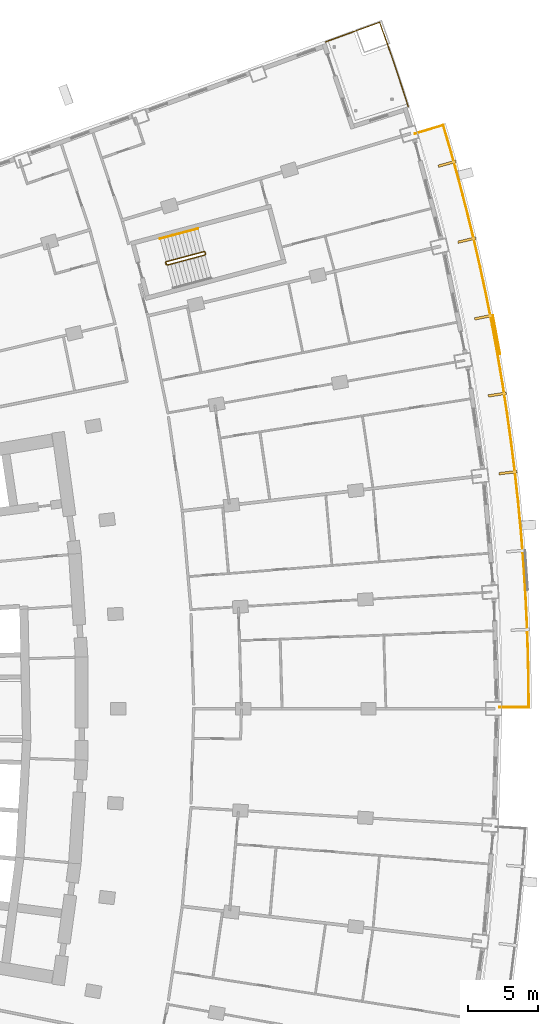
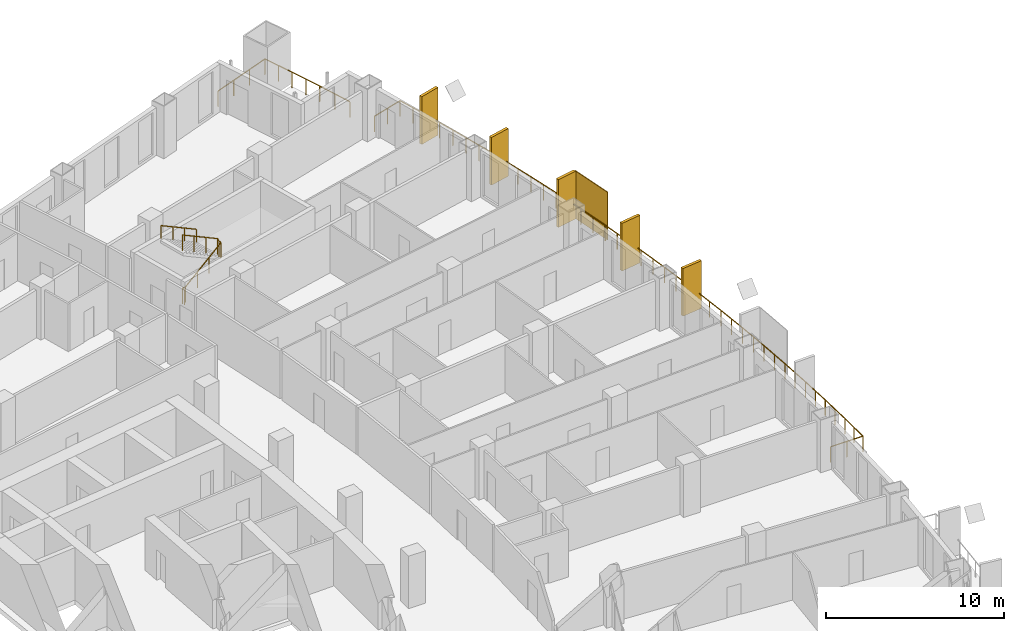
# One storey, part 25 of 25: 6 shading devices, 4 railings.
"""IFC4 building model written with IfcOpenShell, lengths in metres."""

import ifcopenshell
import ifcopenshell.guid

model = None  # the IFC model being written
_history = None  # IfcOwnerHistory: only IFC2X3 demands one
_inside = {}  # id of a spatial element -> (the spatial element, [elements in it])
_under = {}  # id of a project, library or spatial element -> (it, [spatial elements below it])
_declared = {}  # id of a project -> (the project, [libraries it declares])
_typed = {}  # id of a type object -> (the type object, [elements of that type])
_made_of = {}  # id of a material, layer set ... -> (it, [elements and type objects made of it])


def new_model(schema):
    """Start an empty IFC model of exactly this schema.

    Asked for "IFC4X3", IfcOpenShell would pick the latest addendum, in which some entities
    have other attributes; the version numbers below select the first issue.
    IFC2X3 requires an IfcOwnerHistory on every rooted entity: one is made here for all.
    """
    global model, _history
    if schema == "IFC4X3":
        model = ifcopenshell.file(schema_version=(4, 3, 0, 0))
    else:
        model = ifcopenshell.file(schema=schema)
    _inside.clear()
    _under.clear()
    _declared.clear()
    _typed.clear()
    _made_of.clear()
    _history = None
    if model.schema == "IFC2X3":
        org = make("IfcOrganization", Name="unknown")
        user = make(
            "IfcPersonAndOrganization",
            ThePerson=make("IfcPerson", FamilyName="unknown"),
            TheOrganization=org,
        )
        app = make(
            "IfcApplication",
            ApplicationDeveloper=org,
            Version="unknown",
            ApplicationFullName="unknown",
            ApplicationIdentifier="unknown",
        )
        _history = make(
            "IfcOwnerHistory",
            OwningUser=user,
            OwningApplication=app,
            ChangeAction="ADDED",
            CreationDate=0,
        )
    return model


def make(cls, **values):
    """One entity of the class cls with the attributes given. An attribute that is None is left unset."""
    return model.create_entity(
        cls, **{name: value for name, value in values.items() if value is not None}
    )


def rooted(cls, **values):
    """An entity with a GlobalId (a new one), such as an element, a storey or a relation."""
    return make(cls, GlobalId=ifcopenshell.guid.new(), OwnerHistory=_history, **values)


def si_unit(unit_type, name, prefix=None):
    """IfcSIUnit, for example si_unit("LENGTHUNIT", "METRE", prefix="MILLI")."""
    return make("IfcSIUnit", UnitType=unit_type, Prefix=prefix, Name=name)


def assignment(units):
    """IfcUnitAssignment: the units of a project."""
    return None if units is None else make("IfcUnitAssignment", Units=units)


def point(xyz):
    """IfcCartesianPoint."""
    return None if xyz is None else make("IfcCartesianPoint", Coordinates=xyz)


def direction(xyz):
    """IfcDirection."""
    return None if xyz is None else make("IfcDirection", DirectionRatios=xyz)


def frame(location, z_axis=None, x_axis=None):
    """IfcAxis2Placement3D, a coordinate frame: its origin and axes. An axis left out is left unset."""
    return make(
        "IfcAxis2Placement3D",
        Location=point(location),
        Axis=direction(z_axis),
        RefDirection=direction(x_axis),
    )


def frame_2d(location, x_axis=None):
    """IfcAxis2Placement2D, a coordinate frame in the plane: its origin and x axis."""
    return make(
        "IfcAxis2Placement2D", Location=point(location), RefDirection=direction(x_axis)
    )


def origin():
    """The frame at (0, 0, 0) with its axes left unset."""
    return frame((0.0, 0.0, 0.0))


def origin_2d():
    """The frame at (0, 0) in the plane with its x axis left unset."""
    return frame_2d((0.0, 0.0))


def place(relative_to, where):
    """IfcLocalPlacement: puts the frame where relative to a parent placement (None: the world)."""
    return make(
        "IfcLocalPlacement", PlacementRelTo=relative_to, RelativePlacement=where
    )


def context(
    kind, dimensions, precision=None, world=None, true_north=None, identifier=None
):
    """IfcGeometricRepresentationContext, for example the 3D "Model" context."""
    return make(
        "IfcGeometricRepresentationContext",
        ContextIdentifier=identifier,
        ContextType=kind,
        CoordinateSpaceDimension=dimensions,
        Precision=precision,
        WorldCoordinateSystem=world,
        TrueNorth=true_north,
    )


def subcontext(parent, identifier, kind, view, scale=None):
    """IfcGeometricRepresentationSubContext, for example "Body" below "Model"."""
    return make(
        "IfcGeometricRepresentationSubContext",
        ContextIdentifier=identifier,
        ContextType=kind,
        ParentContext=parent,
        TargetScale=scale,
        TargetView=view,
    )


def project(units=None, contexts=None):
    """IfcProject with its units and contexts."""
    return rooted(
        "IfcProject",
        Name="project",
        RepresentationContexts=contexts,
        UnitsInContext=assignment(units),
    )


def spatial(cls, under=None, at=None, **own):
    """A site, building, storey or space (cls), placed at a placement, below another one or the project."""
    s = rooted(cls, ObjectPlacement=at, **own)
    if under is not None:
        _under.setdefault(under.id(), (under, []))[1].append(s)
    return s


def profile(cls, at=None, kind="AREA", **sizes):
    """A parametric profile (cls). Its sizes go by their IFC names, for example OverallWidth=200.0."""
    return make(cls, ProfileType=kind, Position=at, **sizes)


def rectangle(**sizes):
    """IfcRectangleProfileDef."""
    return profile("IfcRectangleProfileDef", **sizes)


def extrude(swept, where, along, depth):
    """IfcExtrudedAreaSolid: the profile swept, set in the frame where, extruded along a direction by depth."""
    return make(
        "IfcExtrudedAreaSolid",
        SweptArea=swept,
        Position=where,
        ExtrudedDirection=direction(along),
        Depth=depth,
    )


def shape(context_of_items, identifier, shape_type, items):
    """IfcShapeRepresentation: the items that make up one representation, for example the "Body"."""
    return make(
        "IfcShapeRepresentation",
        ContextOfItems=context_of_items,
        RepresentationIdentifier=identifier,
        RepresentationType=shape_type,
        Items=items,
    )


def material(Name=None, Category=None):
    """IfcMaterial."""
    return make("IfcMaterial", Name=Name, Category=Category)


def layer(
    of_material, thickness, ventilated=None, Name=None, Category=None, Priority=None
):
    """IfcMaterialLayer: one layer of a wall or slab, of a material (None: an air gap)."""
    return make(
        "IfcMaterialLayer",
        Material=of_material,
        LayerThickness=thickness,
        IsVentilated=ventilated,
        Name=Name,
        Category=Category,
        Priority=Priority,
    )


def layer_set(layers, Name=None):
    """IfcMaterialLayerSet."""
    return make("IfcMaterialLayerSet", MaterialLayers=layers, LayerSetName=Name)


def made_of(thing, what):
    """Note that an element or type object is made of a material, layer set ...; save() writes the relation."""
    if what is not None:
        _made_of.setdefault(what.id(), (what, []))[1].append(thing)
    return thing


def type_object(cls, material=None, **own):
    """A type object (cls), such as IfcWallType, which elements share."""
    return made_of(rooted(cls, **own), material)


def element(
    cls,
    number,
    at=None,
    inside=None,
    cuts=None,
    type_object=None,
    material=None,
    context=None,
    identifier="Body",
    shape_type=None,
    held_by="IfcProductDefinitionShape",
    body=None,
    shapes=None,
    **own,
):
    """One element of the class cls, such as IfcWall. Its Tag is "e" and its number.

    at: its placement. inside: the storey or other place that contains it. cuts: it is an
    opening in that element (IfcRelVoidsElement). A single representation is given by context,
    identifier, shape_type and body (its items); several are given by shapes. held_by: the class
    of the entity that holds the representations. save() writes the other relations.
    """
    e = rooted(cls, Tag="e%d" % number, ObjectPlacement=at, **own)
    if body is not None:
        shapes = [shape(context, identifier, shape_type, body)]
    if shapes is not None:
        e.Representation = make(held_by, Representations=shapes)
    if inside is not None:
        _inside.setdefault(inside.id(), (inside, []))[1].append(e)
    if cuts is not None:
        rooted(
            "IfcRelVoidsElement", RelatingBuildingElement=cuts, RelatedOpeningElement=e
        )
    if type_object is not None:
        _typed.setdefault(type_object.id(), (type_object, []))[1].append(e)
    return made_of(e, material)


def aggregate(whole, parts):
    """IfcRelAggregates: a whole, such as a stair, and the parts it consists of."""
    return rooted("IfcRelAggregates", RelatingObject=whole, RelatedObjects=parts)


def save(model, path):
    """Write the relations noted so far, then the file.

    IfcRelAggregates (storeys below a building ...), IfcRelContainedInSpatialStructure (elements
    in a storey), IfcRelDefinesByType, IfcRelAssociatesMaterial and IfcRelDeclares: one each for
    every whole, place, type object, material and project.
    """
    for whole, parts in _under.values():
        aggregate(whole, parts)
    for where, things in _inside.values():
        rooted(
            "IfcRelContainedInSpatialStructure",
            RelatedElements=things,
            RelatingStructure=where,
        )
    for kind, things in _typed.values():
        rooted("IfcRelDefinesByType", RelatedObjects=things, RelatingType=kind)
    for what, things in _made_of.values():
        rooted("IfcRelAssociatesMaterial", RelatedObjects=things, RelatingMaterial=what)
    for by, libraries in _declared.values():
        rooted("IfcRelDeclares", RelatingContext=by, RelatedDefinitions=libraries)
    model.write(path)


model = new_model("IFC4")

# Units and contexts
model_context = context("Model", 3, precision=1e-05, world=origin(), true_north=direction((0.0, 1.0)))
body_context = subcontext(model_context, "Body", "Model", "MODEL_VIEW")
ifc_project = project(units=[si_unit("LENGTHUNIT", "METRE"), si_unit("AREAUNIT", "SQUARE_METRE"), si_unit("VOLUMEUNIT", "CUBIC_METRE"), si_unit("PLANEANGLEUNIT", "RADIAN"), si_unit("MASSUNIT", "GRAM", prefix="KILO")], contexts=[model_context])

# Site, building, storey
site_placement = place(None, origin())
site = spatial("IfcSite", under=ifc_project, at=site_placement, CompositionType="ELEMENT")
building_placement = place(site_placement, origin())
building = spatial("IfcBuilding", under=site, at=building_placement, Name="Alderwake Tower", CompositionType="ELEMENT")
storey_placement = place(building_placement, frame((0.0, 0.0, 60.800048828125)))
storey = spatial("IfcBuildingStorey", under=building, at=storey_placement, Name="L14", CompositionType="ELEMENT", Elevation=60.800048828125)

# Railings
ifc_material_1 = material(Name="Stainless steel 316 rail and posts", Category="steel")
railing_type_1 = type_object("IfcRailingType", Name="Balcony guard 1100", PredefinedType="GUARDRAIL", material=ifc_material_1)
railing_1_placement = place(storey_placement, frame((63.0, 61.0986328125, 0.0)))
element("IfcRailing", 1, at=railing_1_placement, inside=storey, type_object=railing_type_1, Name="Guard BF07", PredefinedType="GUARDRAIL", context=body_context, shape_type="SweptSolid", body=[
    extrude(rectangle(XDim=0.048095703125, YDim=0.048095703125, at=origin_2d()), frame((0.0, 0.0, 1.076171875), z_axis=(0.999999756738, 0.000697512037, 0.0), x_axis=(-0.000697512037, 0.999999756738, 0.0)), (0.0, 0.0, 1.0), 2.10009765625),
    extrude(rectangle(XDim=0.048095703125, YDim=0.048095703125, at=origin_2d()), frame((2.10009765625, 0.00146484375, 1.076171875), z_axis=(-0.007629667712, 0.999970893662, 0.0), x_axis=(-0.999970893662, -0.007629667712, 0.0)), (0.0, 0.0, 1.0), 2.015869140625),
    extrude(rectangle(XDim=0.048095703125, YDim=0.048095703125, at=origin_2d()), frame((2.084716796875, 2.017333984375, 1.076171875), z_axis=(-0.021922024221, 0.999759683551, 0.0), x_axis=(-0.999759683551, -0.021922024221, 0.0)), (0.0, 0.0, 1.0), 2.115966796875),
    extrude(rectangle(XDim=0.048095703125, YDim=0.048095703125, at=origin_2d()), frame((2.038330078125, 4.1328125, 1.076171875), z_axis=(-0.036456930403, 0.99933522515, 0.0), x_axis=(-0.99933522515, -0.036456930403, 0.0)), (0.0, 0.0, 1.0), 2.1162109375),
    extrude(rectangle(XDim=0.048095703125, YDim=0.048095703125, at=origin_2d()), frame((1.961181640625, 6.24755859375, 1.076171875), z_axis=(-0.050996405484, 0.998698836801, 0.0), x_axis=(-0.998698836801, -0.050996405484, 0.0)), (0.0, 0.0, 1.0), 2.115966796875),
    extrude(rectangle(XDim=0.048095703125, YDim=0.048095703125, at=origin_2d()), frame((1.853271484375, 8.36083984375, 1.076171875), z_axis=(-0.065653604081, 0.997842474678, 0.0), x_axis=(-0.997842474678, -0.065653604081, 0.0)), (0.0, 0.0, 1.0), 2.115966796875),
    extrude(rectangle(XDim=0.048095703125, YDim=0.048095703125, at=origin_2d()), frame((1.71435546875, 10.47216796875, 1.076171875), z_axis=(-0.080066197531, 0.996789548507, 0.0), x_axis=(-0.996789548507, -0.080066197531, 0.0)), (0.0, 0.0, 1.0), 2.1162109375),
    extrude(rectangle(XDim=0.048095703125, YDim=0.048095703125, at=origin_2d()), frame((1.544921875, 12.58154296875, 1.076171875), z_axis=(-0.094727418448, 0.995503247707, 0.0), x_axis=(-0.995503247707, -0.094727418448, 0.0)), (0.0, 0.0, 1.0), 2.115966796875),
    extrude(rectangle(XDim=0.048095703125, YDim=0.048095703125, at=origin_2d()), frame((1.344482421875, 14.68798828125, 1.076171875), z_axis=(-0.109152371234, 0.994025029792, 0.0), x_axis=(-0.994025029792, -0.109152371234, 0.0)), (0.0, 0.0, 1.0), 2.115966796875),
    extrude(rectangle(XDim=0.048095703125, YDim=0.048095703125, at=origin_2d()), frame((1.113525390625, 16.791259765625, 1.076171875), z_axis=(-0.123566122663, 0.992336340829, 0.0), x_axis=(-0.992336340829, -0.123566122663, 0.0)), (0.0, 0.0, 1.0), 2.115966796875),
    extrude(rectangle(XDim=0.048095703125, YDim=0.048095703125, at=origin_2d()), frame((0.85205078125, 18.89111328125, 1.076171875), z_axis=(-0.13810917546, 0.990417010988, 0.0), x_axis=(-0.990417010988, -0.13810917546, 0.0)), (0.0, 0.0, 1.0), 2.115966796875),
    extrude(rectangle(XDim=0.048095703125, YDim=0.048095703125, at=origin_2d()), frame((0.559814453125, 20.98681640625, 1.076171875), z_axis=(-0.152525334997, 0.988299560955, 0.0), x_axis=(-0.988299560955, -0.152525334997, 0.0)), (0.0, 0.0, 1.0), 2.115966796875),
    extrude(rectangle(XDim=0.048095703125, YDim=0.048095703125, at=origin_2d()), frame((0.237060546875, 23.078125, 1.076171875), z_axis=(-0.166942854132, 0.985966573193, 0.0), x_axis=(-0.985966573193, -0.166942854132, 0.0)), (0.0, 0.0, 1.0), 2.1162109375),
    extrude(rectangle(XDim=0.048095703125, YDim=0.048095703125, at=origin_2d()), frame((-0.1162109375, 25.16455078125, 1.076171875), z_axis=(-0.181271090416, 0.983433165893, 0.0), x_axis=(-0.983433165893, -0.181271090416, 0.0)), (0.0, 0.0, 1.0), 2.115966796875),
    extrude(rectangle(XDim=0.048095703125, YDim=0.048095703125, at=origin_2d()), frame((-0.499755859375, 27.245361328125, 1.076171875), z_axis=(-0.195672373282, 0.980669323643, 0.0), x_axis=(-0.980669323643, -0.195672373282, 0.0)), (0.0, 0.0, 1.0), 2.1162109375),
    extrude(rectangle(XDim=0.048095703125, YDim=0.048095703125, at=origin_2d()), frame((-0.913818359375, 29.320556640625, 1.076171875), z_axis=(-0.209875777658, 0.977728059305, 0.0), x_axis=(-0.977728059305, -0.209875777658, 0.0)), (0.0, 0.0, 1.0), 2.115966796875),
    extrude(rectangle(XDim=0.048095703125, YDim=0.048095703125, at=origin_2d()), frame((-1.35791015625, 31.389404296875, 1.076171875), z_axis=(-0.224058933292, 0.974575597074, 0.0), x_axis=(-0.974575597074, -0.224058933292, 0.0)), (0.0, 0.0, 1.0), 2.115966796875),
    extrude(rectangle(XDim=0.048095703125, YDim=0.048095703125, at=origin_2d()), frame((-1.83203125, 33.45166015625, 1.076171875), z_axis=(-0.238270812315, 0.971198754117, 0.0), x_axis=(-0.971198754117, -0.238270812315, 0.0)), (0.0, 0.0, 1.0), 2.115966796875),
    extrude(rectangle(XDim=0.048095703125, YDim=0.048095703125, at=origin_2d()), frame((-2.336181640625, 35.506591796875, 1.076171875), z_axis=(-0.25253930462, 0.967586636752, 0.0), x_axis=(-0.967586636752, -0.25253930462, 0.0)), (0.0, 0.0, 1.0), 2.1162109375),
    extrude(rectangle(XDim=0.048095703125, YDim=0.048095703125, at=origin_2d()), frame((-2.87060546875, 37.55419921875, 1.076171875), z_axis=(-0.266513084078, 0.9638313006, 0.0), x_axis=(-0.9638313006, -0.266513084078, 0.0)), (0.0, 0.0, 1.0), 2.115966796875),
    extrude(rectangle(XDim=0.048095703125, YDim=0.048095703125, at=origin_2d()), frame((-3.4345703125, 39.59375, 1.076171875), z_axis=(-0.28021854868, 0.95993622964, 0.0), x_axis=(-0.95993622964, -0.28021854868, 0.0)), (0.0, 0.0, 1.0), 2.01611328125),
    extrude(rectangle(XDim=0.048095703125, YDim=0.048095703125, at=origin_2d()), frame((-3.99951171875, 41.529052734375, 1.076171875), z_axis=(-0.957954179098, -0.286921227429, 0.0), x_axis=(0.286921227429, -0.957954179098, 0.0)), (0.0, 0.0, 1.0), 2.10009765625),
    extrude(rectangle(XDim=0.0419921875, YDim=0.0419921875, at=origin_2d()), frame((0.0, 0.0, 0.0), z_axis=(0.0, 0.0, 1.0), x_axis=(0.999999756738, 0.000697512037, 0.0)), (0.0, 0.0, 1.0), 1.052001953125),
    extrude(rectangle(XDim=0.0419921875, YDim=0.0419921875, at=origin_2d()), frame((1.050048828125, 0.000732421875, 0.0), z_axis=(0.0, 0.0, 1.0), x_axis=(0.999999756738, 0.000697512037, 0.0)), (0.0, 0.0, 1.0), 1.052001953125),
    extrude(rectangle(XDim=0.0419921875, YDim=0.0419921875, at=origin_2d()), frame((2.10009765625, 0.00146484375, 0.0), z_axis=(0.0, 0.0, 1.0), x_axis=(-0.007629667712, 0.999970893662, 0.0)), (0.0, 0.0, 1.0), 1.052001953125),
    extrude(rectangle(XDim=0.0419921875, YDim=0.0419921875, at=origin_2d()), frame((2.09228515625, 1.00927734375, 0.0), z_axis=(0.0, 0.0, 1.0), x_axis=(-0.007629667712, 0.999970893662, 0.0)), (0.0, 0.0, 1.0), 1.052001953125),
    extrude(rectangle(XDim=0.0419921875, YDim=0.0419921875, at=origin_2d()), frame((2.084716796875, 2.017333984375, 0.0), z_axis=(0.0, 0.0, 1.0), x_axis=(-0.021922024221, 0.999759683551, 0.0)), (0.0, 0.0, 1.0), 1.052001953125),
    extrude(rectangle(XDim=0.0419921875, YDim=0.0419921875, at=origin_2d()), frame((2.0615234375, 3.0751953125, 0.0), z_axis=(0.0, 0.0, 1.0), x_axis=(-0.021922024221, 0.999759683551, 0.0)), (0.0, 0.0, 1.0), 1.052001953125),
    extrude(rectangle(XDim=0.0419921875, YDim=0.0419921875, at=origin_2d()), frame((2.038330078125, 4.1328125, 0.0), z_axis=(0.0, 0.0, 1.0), x_axis=(-0.036456930403, 0.99933522515, 0.0)), (0.0, 0.0, 1.0), 1.052001953125),
    extrude(rectangle(XDim=0.0419921875, YDim=0.0419921875, at=origin_2d()), frame((1.999755859375, 5.190185546875, 0.0), z_axis=(0.0, 0.0, 1.0), x_axis=(-0.036456930403, 0.99933522515, 0.0)), (0.0, 0.0, 1.0), 1.052001953125),
    extrude(rectangle(XDim=0.0419921875, YDim=0.0419921875, at=origin_2d()), frame((1.961181640625, 6.24755859375, 0.0), z_axis=(0.0, 0.0, 1.0), x_axis=(-0.050996405484, 0.998698836801, 0.0)), (0.0, 0.0, 1.0), 1.052001953125),
    extrude(rectangle(XDim=0.0419921875, YDim=0.0419921875, at=origin_2d()), frame((1.9072265625, 7.30419921875, 0.0), z_axis=(0.0, 0.0, 1.0), x_axis=(-0.050996405484, 0.998698836801, 0.0)), (0.0, 0.0, 1.0), 1.052001953125),
    extrude(rectangle(XDim=0.0419921875, YDim=0.0419921875, at=origin_2d()), frame((1.853271484375, 8.36083984375, 0.0), z_axis=(0.0, 0.0, 1.0), x_axis=(-0.065653604081, 0.997842474678, 0.0)), (0.0, 0.0, 1.0), 1.052001953125),
    extrude(rectangle(XDim=0.0419921875, YDim=0.0419921875, at=origin_2d()), frame((1.78369140625, 9.41650390625, 0.0), z_axis=(0.0, 0.0, 1.0), x_axis=(-0.065653604081, 0.997842474678, 0.0)), (0.0, 0.0, 1.0), 1.052001953125),
    extrude(rectangle(XDim=0.0419921875, YDim=0.0419921875, at=origin_2d()), frame((1.71435546875, 10.47216796875, 0.0), z_axis=(0.0, 0.0, 1.0), x_axis=(-0.080066197531, 0.996789548507, 0.0)), (0.0, 0.0, 1.0), 1.052001953125),
    extrude(rectangle(XDim=0.0419921875, YDim=0.0419921875, at=origin_2d()), frame((1.629638671875, 11.52685546875, 0.0), z_axis=(0.0, 0.0, 1.0), x_axis=(-0.080066197531, 0.996789548507, 0.0)), (0.0, 0.0, 1.0), 1.052001953125),
    extrude(rectangle(XDim=0.0419921875, YDim=0.0419921875, at=origin_2d()), frame((1.544921875, 12.58154296875, 0.0), z_axis=(0.0, 0.0, 1.0), x_axis=(-0.094727418448, 0.995503247707, 0.0)), (0.0, 0.0, 1.0), 1.052001953125),
    extrude(rectangle(XDim=0.0419921875, YDim=0.0419921875, at=origin_2d()), frame((1.44482421875, 13.634765625, 0.0), z_axis=(0.0, 0.0, 1.0), x_axis=(-0.094727418448, 0.995503247707, 0.0)), (0.0, 0.0, 1.0), 1.052001953125),
    extrude(rectangle(XDim=0.0419921875, YDim=0.0419921875, at=origin_2d()), frame((1.344482421875, 14.68798828125, 0.0), z_axis=(0.0, 0.0, 1.0), x_axis=(-0.109152371234, 0.994025029792, 0.0)), (0.0, 0.0, 1.0), 1.052001953125),
    extrude(rectangle(XDim=0.0419921875, YDim=0.0419921875, at=origin_2d()), frame((1.22900390625, 15.73974609375, 0.0), z_axis=(0.0, 0.0, 1.0), x_axis=(-0.109152371234, 0.994025029792, 0.0)), (0.0, 0.0, 1.0), 1.052001953125),
    extrude(rectangle(XDim=0.0419921875, YDim=0.0419921875, at=origin_2d()), frame((1.113525390625, 16.791259765625, 0.0), z_axis=(0.0, 0.0, 1.0), x_axis=(-0.123566122663, 0.992336340829, 0.0)), (0.0, 0.0, 1.0), 1.052001953125),
    extrude(rectangle(XDim=0.0419921875, YDim=0.0419921875, at=origin_2d()), frame((0.98291015625, 17.84130859375, 0.0), z_axis=(0.0, 0.0, 1.0), x_axis=(-0.123566122663, 0.992336340829, 0.0)), (0.0, 0.0, 1.0), 1.052001953125),
    extrude(rectangle(XDim=0.0419921875, YDim=0.0419921875, at=origin_2d()), frame((0.85205078125, 18.89111328125, 0.0), z_axis=(0.0, 0.0, 1.0), x_axis=(-0.13810917546, 0.990417010988, 0.0)), (0.0, 0.0, 1.0), 1.052001953125),
    extrude(rectangle(XDim=0.0419921875, YDim=0.0419921875, at=origin_2d()), frame((0.7060546875, 19.93896484375, 0.0), z_axis=(0.0, 0.0, 1.0), x_axis=(-0.13810917546, 0.990417010988, 0.0)), (0.0, 0.0, 1.0), 1.052001953125),
    extrude(rectangle(XDim=0.0419921875, YDim=0.0419921875, at=origin_2d()), frame((0.559814453125, 20.98681640625, 0.0), z_axis=(0.0, 0.0, 1.0), x_axis=(-0.152525334997, 0.988299560955, 0.0)), (0.0, 0.0, 1.0), 1.052001953125),
    extrude(rectangle(XDim=0.0419921875, YDim=0.0419921875, at=origin_2d()), frame((0.3984375, 22.032470703125, 0.0), z_axis=(0.0, 0.0, 1.0), x_axis=(-0.152525334997, 0.988299560955, 0.0)), (0.0, 0.0, 1.0), 1.052001953125),
    extrude(rectangle(XDim=0.0419921875, YDim=0.0419921875, at=origin_2d()), frame((0.237060546875, 23.078125, 0.0), z_axis=(0.0, 0.0, 1.0), x_axis=(-0.166942854132, 0.985966573193, 0.0)), (0.0, 0.0, 1.0), 1.052001953125),
    extrude(rectangle(XDim=0.0419921875, YDim=0.0419921875, at=origin_2d()), frame((0.060546875, 24.121337890625, 0.0), z_axis=(0.0, 0.0, 1.0), x_axis=(-0.166942854132, 0.985966573193, 0.0)), (0.0, 0.0, 1.0), 1.052001953125),
    extrude(rectangle(XDim=0.0419921875, YDim=0.0419921875, at=origin_2d()), frame((-0.1162109375, 25.16455078125, 0.0), z_axis=(0.0, 0.0, 1.0), x_axis=(-0.181271090416, 0.983433165893, 0.0)), (0.0, 0.0, 1.0), 1.052001953125),
    extrude(rectangle(XDim=0.0419921875, YDim=0.0419921875, at=origin_2d()), frame((-0.30810546875, 26.205078125, 0.0), z_axis=(0.0, 0.0, 1.0), x_axis=(-0.181271090416, 0.983433165893, 0.0)), (0.0, 0.0, 1.0), 1.052001953125),
    extrude(rectangle(XDim=0.0419921875, YDim=0.0419921875, at=origin_2d()), frame((-0.499755859375, 27.245361328125, 0.0), z_axis=(0.0, 0.0, 1.0), x_axis=(-0.195672373282, 0.980669323643, 0.0)), (0.0, 0.0, 1.0), 1.052001953125),
    extrude(rectangle(XDim=0.0419921875, YDim=0.0419921875, at=origin_2d()), frame((-0.706787109375, 28.282958984375, 0.0), z_axis=(0.0, 0.0, 1.0), x_axis=(-0.195672373282, 0.980669323643, 0.0)), (0.0, 0.0, 1.0), 1.052001953125),
    extrude(rectangle(XDim=0.0419921875, YDim=0.0419921875, at=origin_2d()), frame((-0.913818359375, 29.320556640625, 0.0), z_axis=(0.0, 0.0, 1.0), x_axis=(-0.209875777658, 0.977728059305, 0.0)), (0.0, 0.0, 1.0), 1.052001953125),
    extrude(rectangle(XDim=0.0419921875, YDim=0.0419921875, at=origin_2d()), frame((-1.1357421875, 30.35498046875, 0.0), z_axis=(0.0, 0.0, 1.0), x_axis=(-0.209875777658, 0.977728059305, 0.0)), (0.0, 0.0, 1.0), 1.052001953125),
    extrude(rectangle(XDim=0.0419921875, YDim=0.0419921875, at=origin_2d()), frame((-1.35791015625, 31.389404296875, 0.0), z_axis=(0.0, 0.0, 1.0), x_axis=(-0.224058933292, 0.974575597074, 0.0)), (0.0, 0.0, 1.0), 1.052001953125),
    extrude(rectangle(XDim=0.0419921875, YDim=0.0419921875, at=origin_2d()), frame((-1.594970703125, 32.42041015625, 0.0), z_axis=(0.0, 0.0, 1.0), x_axis=(-0.224058933292, 0.974575597074, 0.0)), (0.0, 0.0, 1.0), 1.052001953125),
    extrude(rectangle(XDim=0.0419921875, YDim=0.0419921875, at=origin_2d()), frame((-1.83203125, 33.45166015625, 0.0), z_axis=(0.0, 0.0, 1.0), x_axis=(-0.238270812315, 0.971198754117, 0.0)), (0.0, 0.0, 1.0), 1.052001953125),
    extrude(rectangle(XDim=0.0419921875, YDim=0.0419921875, at=origin_2d()), frame((-2.083984375, 34.47900390625, 0.0), z_axis=(0.0, 0.0, 1.0), x_axis=(-0.238270812315, 0.971198754117, 0.0)), (0.0, 0.0, 1.0), 1.052001953125),
    extrude(rectangle(XDim=0.0419921875, YDim=0.0419921875, at=origin_2d()), frame((-2.336181640625, 35.506591796875, 0.0), z_axis=(0.0, 0.0, 1.0), x_axis=(-0.25253930462, 0.967586636752, 0.0)), (0.0, 0.0, 1.0), 1.052001953125),
    extrude(rectangle(XDim=0.0419921875, YDim=0.0419921875, at=origin_2d()), frame((-2.603515625, 36.5302734375, 0.0), z_axis=(0.0, 0.0, 1.0), x_axis=(-0.25253930462, 0.967586636752, 0.0)), (0.0, 0.0, 1.0), 1.052001953125),
    extrude(rectangle(XDim=0.0419921875, YDim=0.0419921875, at=origin_2d()), frame((-2.87060546875, 37.55419921875, 0.0), z_axis=(0.0, 0.0, 1.0), x_axis=(-0.266513084078, 0.9638313006, 0.0)), (0.0, 0.0, 1.0), 1.052001953125),
    extrude(rectangle(XDim=0.0419921875, YDim=0.0419921875, at=origin_2d()), frame((-3.152587890625, 38.573974609375, 0.0), z_axis=(0.0, 0.0, 1.0), x_axis=(-0.266513084078, 0.9638313006, 0.0)), (0.0, 0.0, 1.0), 1.052001953125),
    extrude(rectangle(XDim=0.0419921875, YDim=0.0419921875, at=origin_2d()), frame((-3.4345703125, 39.59375, 0.0), z_axis=(0.0, 0.0, 1.0), x_axis=(-0.28021854868, 0.95993622964, 0.0)), (0.0, 0.0, 1.0), 1.052001953125),
    extrude(rectangle(XDim=0.0419921875, YDim=0.0419921875, at=origin_2d()), frame((-3.717041015625, 40.5615234375, 0.0), z_axis=(0.0, 0.0, 1.0), x_axis=(-0.28021854868, 0.95993622964, 0.0)), (0.0, 0.0, 1.0), 1.052001953125),
    extrude(rectangle(XDim=0.0419921875, YDim=0.0419921875, at=origin_2d()), frame((-3.99951171875, 41.529052734375, 0.0), z_axis=(0.0, 0.0, 1.0), x_axis=(-0.957954179098, -0.286921227429, 0.0)), (0.0, 0.0, 1.0), 1.052001953125),
    extrude(rectangle(XDim=0.0419921875, YDim=0.0419921875, at=origin_2d()), frame((-5.00537109375, 41.227783203125, 0.0), z_axis=(0.0, 0.0, 1.0), x_axis=(-0.957954179098, -0.286921227429, 0.0)), (0.0, 0.0, 1.0), 1.052001953125),
    extrude(rectangle(XDim=0.0419921875, YDim=0.0419921875, at=origin_2d()), frame((-6.01123046875, 40.926513671875, 0.0), z_axis=(0.0, 0.0, 1.0), x_axis=(-0.957954179098, -0.286921227429, 0.0)), (0.0, 0.0, 1.0), 1.052001953125),
])
railing_2_placement = place(storey_placement, frame((56.501708984375, 103.951904296875, 0.0)))
element("IfcRailing", 2, at=railing_2_placement, inside=storey, type_object=railing_type_1, Name="Guard terrace FN", PredefinedType="GUARDRAIL", context=body_context, shape_type="SweptSolid", body=[
    extrude(rectangle(XDim=0.048095703125, YDim=0.048095703125, at=origin_2d()), frame((0.0, 0.0, 1.076171875), z_axis=(-0.307695208636, 0.95148497549, 0.0), x_axis=(-0.95148497549, -0.307695208636, 0.0)), (0.0, 0.0, 1.0), 2.28662109375),
    extrude(rectangle(XDim=0.048095703125, YDim=0.048095703125, at=origin_2d()), frame((-0.70361328125, 2.17578125, 1.076171875), z_axis=(-0.322292794667, 0.946640034282, 0.0), x_axis=(-0.946640034282, -0.322292794667, 0.0)), (0.0, 0.0, 1.0), 2.0869140625),
    extrude(rectangle(XDim=0.048095703125, YDim=0.048095703125, at=origin_2d()), frame((-1.376220703125, 4.1513671875, 1.076171875), z_axis=(-0.335736890056, 0.941955806105, 0.0), x_axis=(-0.941955806105, -0.335736890056, 0.0)), (0.0, 0.0, 1.0), 1.986572265625),
    extrude(rectangle(XDim=0.048095703125, YDim=0.048095703125, at=origin_2d()), frame((-2.043212890625, 6.022705078125, 1.076171875), z_axis=(-0.939617696184, -0.342225926863, 0.0), x_axis=(0.342225926863, -0.939617696184, 0.0)), (0.0, 0.0, 1.0), 4.099853515625),
    extrude(rectangle(XDim=0.0419921875, YDim=0.0419921875, at=origin_2d()), frame((0.0, 0.0, 0.0), z_axis=(0.0, 0.0, 1.0), x_axis=(-0.307695208636, 0.95148497549, 0.0)), (0.0, 0.0, 1.0), 1.052001953125),
    extrude(rectangle(XDim=0.0419921875, YDim=0.0419921875, at=origin_2d()), frame((-0.351806640625, 1.087890625, 0.0), z_axis=(0.0, 0.0, 1.0), x_axis=(-0.307695208636, 0.95148497549, 0.0)), (0.0, 0.0, 1.0), 1.052001953125),
    extrude(rectangle(XDim=0.0419921875, YDim=0.0419921875, at=origin_2d()), frame((-0.70361328125, 2.17578125, 0.0), z_axis=(0.0, 0.0, 1.0), x_axis=(-0.322292794667, 0.946640034282, 0.0)), (0.0, 0.0, 1.0), 1.052001953125),
    extrude(rectangle(XDim=0.0419921875, YDim=0.0419921875, at=origin_2d()), frame((-1.0400390625, 3.16357421875, 0.0), z_axis=(0.0, 0.0, 1.0), x_axis=(-0.322292794667, 0.946640034282, 0.0)), (0.0, 0.0, 1.0), 1.052001953125),
    extrude(rectangle(XDim=0.0419921875, YDim=0.0419921875, at=origin_2d()), frame((-1.376220703125, 4.1513671875, 0.0), z_axis=(0.0, 0.0, 1.0), x_axis=(-0.335736890056, 0.941955806105, 0.0)), (0.0, 0.0, 1.0), 1.052001953125),
    extrude(rectangle(XDim=0.0419921875, YDim=0.0419921875, at=origin_2d()), frame((-1.709716796875, 5.0869140625, 0.0), z_axis=(0.0, 0.0, 1.0), x_axis=(-0.335736890056, 0.941955806105, 0.0)), (0.0, 0.0, 1.0), 1.052001953125),
    extrude(rectangle(XDim=0.0419921875, YDim=0.0419921875, at=origin_2d()), frame((-2.043212890625, 6.022705078125, 0.0), z_axis=(0.0, 0.0, 1.0), x_axis=(-0.939617696184, -0.342225926863, 0.0)), (0.0, 0.0, 1.0), 1.052001953125),
    extrude(rectangle(XDim=0.0419921875, YDim=0.0419921875, at=origin_2d()), frame((-3.327392578125, 5.554931640625, 0.0), z_axis=(0.0, 0.0, 1.0), x_axis=(-0.939617696184, -0.342225926863, 0.0)), (0.0, 0.0, 1.0), 1.052001953125),
    extrude(rectangle(XDim=0.0419921875, YDim=0.0419921875, at=origin_2d()), frame((-4.611328125, 5.08740234375, 0.0), z_axis=(0.0, 0.0, 1.0), x_axis=(-0.939617696184, -0.342225926863, 0.0)), (0.0, 0.0, 1.0), 1.052001953125),
    extrude(rectangle(XDim=0.0419921875, YDim=0.0419921875, at=origin_2d()), frame((-5.8955078125, 4.61962890625, 0.0), z_axis=(0.0, 0.0, 1.0), x_axis=(-0.939617696184, -0.342225926863, 0.0)), (0.0, 0.0, 1.0), 1.052001953125),
])

# Shading devices
ifc_material_2 = material(Name="Bronze anodised aluminium", Category="aluminium")
ifc_layer_1 = layer(ifc_material_2, 0.179931640625)
ifc_layer_set_1 = layer_set([ifc_layer_1], Name="Facade fin 1300")
shading_device_type_1 = type_object("IfcShadingDeviceType", Name="Facade fin 1300", PredefinedType="USERDEFINED", material=ifc_layer_set_1)
for number, where, z_axis, x_axis, name in (
    (3, (63.616455078125, 77.83642578125, 0.0), (0.0, 0.0, 1.0), (0.993198315083, 0.116434990084, 0.0), "Fin"),
    (4, (62.85302734375, 83.4091796875, 0.0), (0.0, 0.0, 1.0), (0.987918787879, 0.154972476771, 0.0), "Fin"),
    (5, (61.876220703125, 88.93359375, 0.0), (0.0, 0.0, 1.0), (0.981163751315, 0.193177879441, 0.0), "Fin"),
    (6, (60.6826171875, 94.429931640625, 0.0), (0.0, 0.0, 1.0), (0.972908790564, 0.231189284448, 0.0), "Fin"),
    (7, (59.276123046875, 99.8759765625, 0.0), (0.0, 0.0, 1.0), (0.96318180783, 0.268850897459, 0.0), "Fin"),
):
    element("IfcShadingDevice", number, at=place(storey_placement, frame(where, z_axis=z_axis, x_axis=x_axis)), inside=storey, type_object=shading_device_type_1, Name=name, ObjectType="FIN", PredefinedType="USERDEFINED", context=body_context, shape_type="SweptSolid", body=[
        extrude(rectangle(XDim=1.300048828125, YDim=0.179931640625, at=origin_2d()), origin(), (0.0, 0.0, 1.0), 3.280029296875),
    ])
ifc_material_3 = material(Name="Perforated bronze anodised aluminium", Category="aluminium")
ifc_layer_2 = layer(ifc_material_3, 0.050048828125)
ifc_layer_set_2 = layer_set([ifc_layer_2], Name="Perforated screen panel")
shading_device_type_2 = type_object("IfcShadingDeviceType", Name="Perforated screen panel", PredefinedType="USERDEFINED", material=ifc_layer_set_2)
shading_device_placement = place(storey_placement, frame((62.79736328125, 87.6787109375, 0.0), z_axis=(0.0, 0.0, 1.0), x_axis=(0.982991488043, 0.183651121519, 0.0)))
element("IfcShadingDevice", 8, at=shading_device_placement, inside=storey, type_object=shading_device_type_2, Name="Screen panel", ObjectType="SCREEN", PredefinedType="USERDEFINED", context=body_context, shape_type="SweptSolid", body=[
    extrude(rectangle(XDim=0.050048828125, YDim=2.818359375, at=origin_2d()), origin(), (0.0, 0.0, 1.0), 3.280029296875),
])

# Railings
ifc_material_4 = material(Name="Stainless steel guard", Category="steel")
railing_type_2 = type_object("IfcRailingType", Name="Stair guard 1100", PredefinedType="GUARDRAIL", material=ifc_material_4)
railing_3_placement = place(storey_placement, frame((39.23291015625, 92.6806640625, 0.0)))
element("IfcRailing", 9, at=railing_3_placement, inside=storey, type_object=railing_type_2, Name="L14 ST-A stair guard 1", PredefinedType="GUARDRAIL", context=body_context, shape_type="SweptSolid", body=[
    extrude(rectangle(XDim=0.048095703125, YDim=0.048095703125, at=origin_2d()), frame((0.0, 0.0, 1.076171875), z_axis=(-0.257055032184, 0.966396766566, 0.0), x_axis=(-0.966396766566, -0.257055032184, 0.0)), (0.0, 0.0, 1.0), 0.150146484375),
    extrude(rectangle(XDim=0.048095703125, YDim=0.048095703125, at=origin_2d()), frame((-0.03857421875, 0.14501953125, 1.076171875), z_axis=(0.379370725808, -0.685464465458, 0.621463047167), x_axis=(0.874937996095, 0.484234966715, 0.0)), (0.0, 0.0, 1.0), 0.26318359375),
    extrude(rectangle(XDim=0.048095703125, YDim=0.048095703125, at=origin_2d()), frame((0.061279296875, -0.035400390625, 1.23974609375), z_axis=(0.834258940753, 0.22222815314, 0.504605457487), x_axis=(-0.257402139082, 0.966304371715, 0.0)), (0.0, 0.0, 1.0), 3.2431640625),
    extrude(rectangle(XDim=0.048095703125, YDim=0.048095703125, at=origin_2d()), frame((2.766845703125, 0.685302734375, 2.8759765625), z_axis=(0.500220121494, 0.865898279276, 0.0), x_axis=(-0.865898279276, 0.500220121494, 0.0)), (0.0, 0.0, 1.0), 0.07080078125),
    extrude(rectangle(XDim=0.048095703125, YDim=0.048095703125, at=origin_2d()), frame((2.80224609375, 0.74658203125, 2.8759765625), z_axis=(-0.257459803502, 0.966289009345, 0.0), x_axis=(-0.966289009345, -0.257459803502, 0.0)), (0.0, 0.0, 1.0), 0.14990234375),
    extrude(rectangle(XDim=0.048095703125, YDim=0.048095703125, at=origin_2d()), frame((2.763671875, 0.891357421875, 2.8759765625), z_axis=(-0.34252489212, 0.200034536998, 0.917966710881), x_axis=(-0.504300490226, -0.863528236688, 0.0)), (0.0, 0.0, 1.0), 0.17822265625),
    extrude(rectangle(XDim=0.048095703125, YDim=0.048095703125, at=origin_2d()), frame((2.70263671875, 0.927001953125, 3.03955078125), z_axis=(-0.834313512087, -0.222222637163, 0.504517653885), x_axis=(0.257380452725, -0.966310148221, 0.0)), (0.0, 0.0, 1.0), 3.2431640625),
    extrude(rectangle(XDim=0.0419921875, YDim=0.0419921875, at=origin_2d()), frame((0.0, 0.0, 0.0), z_axis=(0.0, 0.0, 1.0), x_axis=(-0.257055032184, 0.966396766566, 0.0)), (0.0, 0.0, 1.0), 1.052001953125),
    extrude(rectangle(XDim=0.0419921875, YDim=0.0419921875, at=origin_2d()), frame((-0.03857421875, 0.14501953125, 0.0), z_axis=(0.0, 0.0, 1.0), x_axis=(0.484234966715, -0.874937996095, 0.0)), (0.0, 0.0, 1.0), 1.052001953125),
    extrude(rectangle(XDim=0.0419921875, YDim=0.0419921875, at=origin_2d()), frame((0.061279296875, -0.035400390625, 0.16357421875), z_axis=(0.0, 0.0, 1.0), x_axis=(0.966304371715, 0.257402139082, 0.0)), (0.0, 0.0, 1.0), 1.052001953125),
    extrude(rectangle(XDim=0.0419921875, YDim=0.0419921875, at=origin_2d()), frame((0.963134765625, 0.204833984375, 0.708984375), z_axis=(0.0, 0.0, 1.0), x_axis=(0.966304371715, 0.257402139082, 0.0)), (0.0, 0.0, 1.0), 1.052001953125),
    extrude(rectangle(XDim=0.0419921875, YDim=0.0419921875, at=origin_2d()), frame((1.864990234375, 0.445068359375, 1.254638671875), z_axis=(0.0, 0.0, 1.0), x_axis=(0.966304371715, 0.257402139082, 0.0)), (0.0, 0.0, 1.0), 1.052001953125),
    extrude(rectangle(XDim=0.0419921875, YDim=0.0419921875, at=origin_2d()), frame((2.766845703125, 0.685302734375, 1.800048828125), z_axis=(0.0, 0.0, 1.0), x_axis=(0.500220121494, 0.865898279276, 0.0)), (0.0, 0.0, 1.0), 1.052001953125),
    extrude(rectangle(XDim=0.0419921875, YDim=0.0419921875, at=origin_2d()), frame((2.80224609375, 0.74658203125, 1.800048828125), z_axis=(0.0, 0.0, 1.0), x_axis=(-0.257459803502, 0.966289009345, 0.0)), (0.0, 0.0, 1.0), 1.052001953125),
    extrude(rectangle(XDim=0.0419921875, YDim=0.0419921875, at=origin_2d()), frame((2.763671875, 0.891357421875, 1.800048828125), z_axis=(0.0, 0.0, 1.0), x_axis=(-0.863528236688, 0.504300490226, 0.0)), (0.0, 0.0, 1.0), 1.052001953125),
    extrude(rectangle(XDim=0.0419921875, YDim=0.0419921875, at=origin_2d()), frame((2.70263671875, 0.927001953125, 1.963623046875), z_axis=(0.0, 0.0, 1.0), x_axis=(-0.966310148221, -0.257380452725, 0.0)), (0.0, 0.0, 1.0), 1.052001953125),
    extrude(rectangle(XDim=0.0419921875, YDim=0.0419921875, at=origin_2d()), frame((1.80078125, 0.686767578125, 2.509033203125), z_axis=(0.0, 0.0, 1.0), x_axis=(-0.966310148221, -0.257380452725, 0.0)), (0.0, 0.0, 1.0), 1.052001953125),
    extrude(rectangle(XDim=0.0419921875, YDim=0.0419921875, at=origin_2d()), frame((0.898681640625, 0.446533203125, 3.054443359375), z_axis=(0.0, 0.0, 1.0), x_axis=(-0.966310148221, -0.257380452725, 0.0)), (0.0, 0.0, 1.0), 1.052001953125),
    extrude(rectangle(XDim=0.0419921875, YDim=0.0419921875, at=origin_2d()), frame((-0.003173828125, 0.206298828125, 3.599853515625), z_axis=(0.0, 0.0, 1.0), x_axis=(-0.966310148221, -0.257380452725, 0.0)), (0.0, 0.0, 1.0), 1.052001953125),
])
ifc_material_5 = material(Name="Stainless steel handrail", Category="steel")
railing_type_3 = type_object("IfcRailingType", Name="Stair handrail 900", PredefinedType="HANDRAIL", material=ifc_material_5)
railing_4_placement = place(storey_placement, frame((41.497802734375, 95.250244140625, 1.963623046875)))
element("IfcRailing", 10, at=railing_4_placement, inside=storey, type_object=railing_type_3, Name="L14 ST-A stair handrail 2", PredefinedType="HANDRAIL", context=body_context, shape_type="SweptSolid", body=[
    extrude(rectangle(XDim=0.048095703125, YDim=0.048095703125, at=origin_2d()), frame((0.0, 0.0, 0.8759765625), z_axis=(-0.834290631165, -0.222236594766, 0.504549342183), x_axis=(0.257402139082, -0.966304371715, 0.0)), (0.0, 0.0, 1.0), 3.242919921875),
    extrude(rectangle(XDim=0.0419921875, YDim=0.0419921875, at=origin_2d()), frame((0.0, 0.0, 0.0), z_axis=(0.0, 0.0, 1.0), x_axis=(-0.966304371715, -0.257402139082, 0.0)), (0.0, 0.0, 1.0), 0.851806640625),
    extrude(rectangle(XDim=0.0419921875, YDim=0.0419921875, at=origin_2d()), frame((-0.90185546875, -0.240234375, 0.54541015625), z_axis=(0.0, 0.0, 1.0), x_axis=(-0.966304371715, -0.257402139082, 0.0)), (0.0, 0.0, 1.0), 0.851806640625),
    extrude(rectangle(XDim=0.0419921875, YDim=0.0419921875, at=origin_2d()), frame((-1.8037109375, -0.48046875, 1.0908203125), z_axis=(0.0, 0.0, 1.0), x_axis=(-0.966304371715, -0.257402139082, 0.0)), (0.0, 0.0, 1.0), 0.851806640625),
    extrude(rectangle(XDim=0.0419921875, YDim=0.0419921875, at=origin_2d()), frame((-2.70556640625, -0.720703125, 1.63623046875), z_axis=(0.0, 0.0, 1.0), x_axis=(-0.966304371715, -0.257402139082, 0.0)), (0.0, 0.0, 1.0), 0.851806640625),
])

save(model, "model.ifc")
